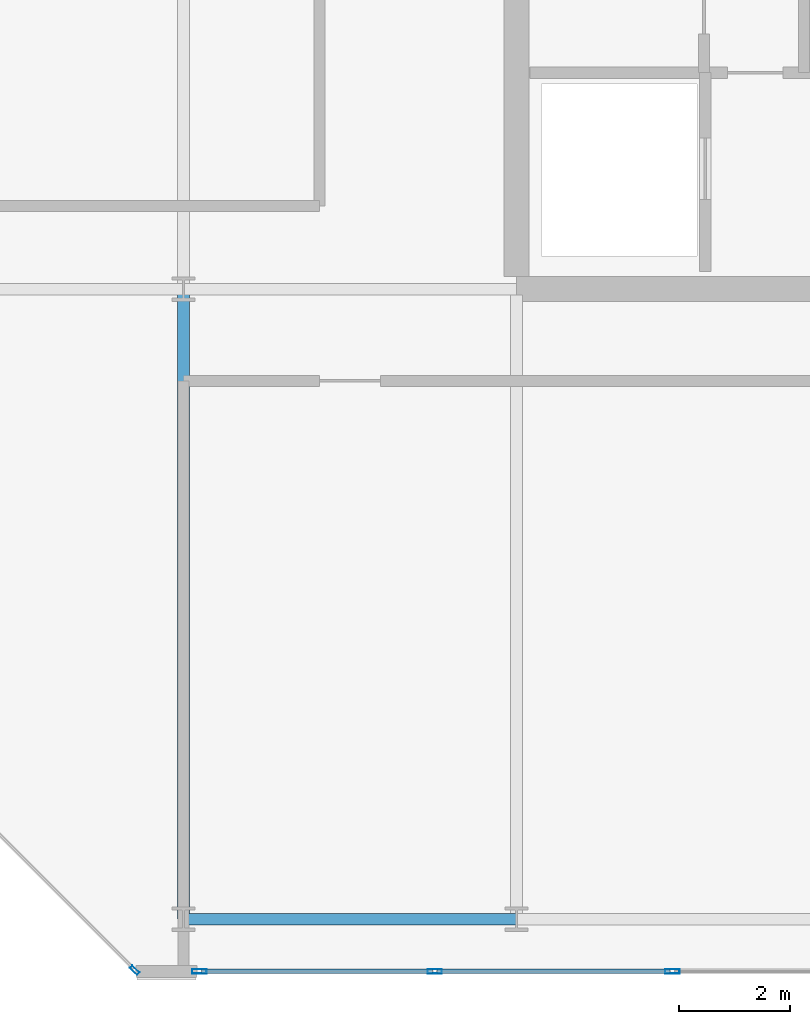
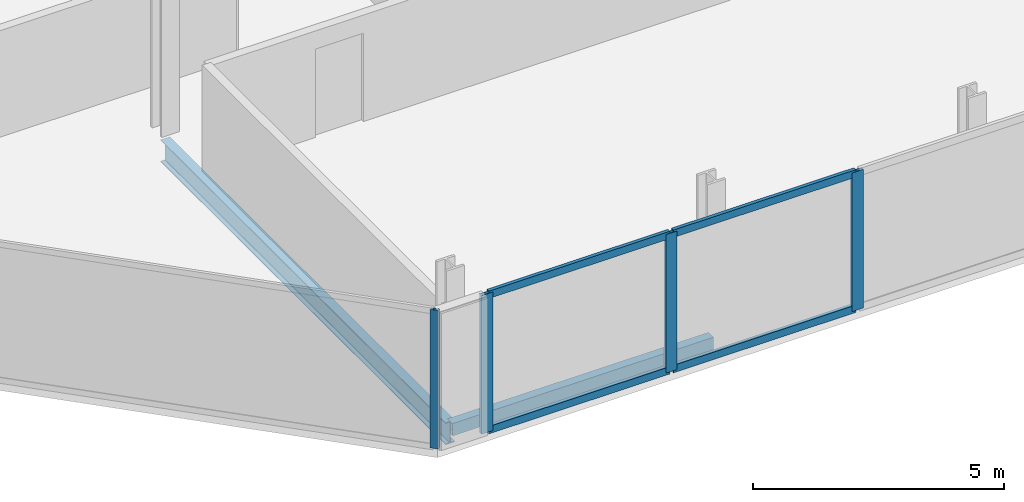
# One storey, part 2 of 16: 8 members, 2 beams, 2 elements without a shape of their own.
"""IFC4 building model written with IfcOpenShell, lengths in metres."""

from ifc_helpers import new_model, si_unit, direction, frame, origin, origin_2d, place, context, subcontext, project, spatial, hollow_rectangle, i_section, extrude, material, layer, layer_set, material_profile, profile_set, type_object, element, aggregate, save


model = new_model("IFC4")

# Units and contexts
model_context = context("Model", 3, precision=1e-05, world=origin(), true_north=direction((0.0, 1.0)))
body_context = subcontext(model_context, "Body", "Model", "MODEL_VIEW")
ifc_project = project(units=[si_unit("LENGTHUNIT", "METRE"), si_unit("AREAUNIT", "SQUARE_METRE"), si_unit("VOLUMEUNIT", "CUBIC_METRE"), si_unit("PLANEANGLEUNIT", "RADIAN"), si_unit("MASSUNIT", "GRAM", prefix="KILO")], contexts=[model_context])

# Site, building, storey
site_placement = place(None, origin())
site = spatial("IfcSite", under=ifc_project, at=site_placement, CompositionType="ELEMENT")
building_placement = place(site_placement, origin())
building = spatial("IfcBuilding", under=site, at=building_placement, Name="Tanjung Sevakor Pilgrim Tower", CompositionType="ELEMENT")
storey_placement = place(building_placement, frame((0.0, 0.0, 275.219970703125)))
storey = spatial("IfcBuildingStorey", under=building, at=storey_placement, Name="L77", CompositionType="ELEMENT", Elevation=275.219970703125)

# Beams
ifc_material_1 = material(Name="Steel S355J2", Category="steel")
ifc_material_profile_1 = material_profile(ifc_material_1, i_section(OverallWidth=0.210693359375, OverallDepth=0.53955078125, WebThickness=0.01171875, FlangeThickness=0.018798828125, FilletRadius=0.0126953125, at=origin_2d()))
ifc_profile_set_1 = profile_set([ifc_material_profile_1], Name="Steel S355J2")
beam_type_1 = type_object("IfcBeamType", Name="BM-B-G6-UB_533x210x109", PredefinedType="BEAM", material=ifc_profile_set_1)
beam_1_placement = place(storey_placement, frame((72.0, 13.25, -0.48974609375), z_axis=(0.0, 1.0, 0.0), x_axis=(-1.0, 0.0, 0.0)))
element("IfcBeam", 1, at=beam_1_placement, inside=storey, type_object=beam_type_1, Name="L77 EAST Girder 002", PredefinedType="BEAM", context=body_context, shape_type="SweptSolid", body=[
    extrude(i_section(OverallWidth=0.210693359375, OverallDepth=0.53955078125, WebThickness=0.01171875, FlangeThickness=0.018798828125, FilletRadius=0.0126953125, at=origin_2d()), origin(), (0.0, 0.0, 1.0), 11.35009765625),
])
ifc_material_2 = material(Name="Steel S355J2", Category="steel")
ifc_material_profile_2 = material_profile(ifc_material_2, hollow_rectangle(XDim=0.199951171875, YDim=0.300048828125, WallThickness=0.012451171875, at=origin_2d()))
ifc_profile_set_2 = profile_set([ifc_material_profile_2], Name="Steel S355J2")
beam_type_2 = type_object("IfcBeamType", Name="BM-B-SP3-RHS_300x200x12.5", PredefinedType="SPANDREL", material=ifc_profile_set_2)
beam_2_placement = place(storey_placement, frame((72.0, 13.25, -0.369873046875), z_axis=(1.0, 0.0, 0.0), x_axis=(0.0, 1.0, 0.0)))
element("IfcBeam", 2, at=beam_2_placement, inside=storey, type_object=beam_type_2, Name="L77 Spandrel EAST S-01", PredefinedType="SPANDREL", context=body_context, shape_type="SweptSolid", body=[
    extrude(hollow_rectangle(XDim=0.199951171875, YDim=0.300048828125, WallThickness=0.012451171875, at=origin_2d()), origin(), (0.0, 0.0, 1.0), 6.0),
])

# Curtain wall, member
ifc_material_3 = material(Name="Aluminium 6063-T6 and Low-E Glass", Category="aluminium")
ifc_layer_1 = layer(ifc_material_3, 0.179931640625)
ifc_layer_set_1 = layer_set([ifc_layer_1], Name="CW-SYS-CHAM")
curtain_wall_type_1 = type_object("IfcCurtainWallType", Name="CW-SYS-CHAM", PredefinedType="NOTDEFINED", material=ifc_layer_set_1)
curtain_wall_1_placement = place(storey_placement, origin())
curtain_wall_1 = element("IfcCurtainWall", 3, at=curtain_wall_1_placement, inside=storey, type_object=curtain_wall_type_1, Name="L77 Curtain Wall CW-CHM-L77-EAST-7", PredefinedType="NOTDEFINED")
ifc_material_4 = material(Name="Aluminium 6063-T6", Category="aluminium")
ifc_material_profile_3 = material_profile(ifc_material_4, hollow_rectangle(XDim=0.06494140625, YDim=0.179931640625, WallThickness=0.00390625, at=origin_2d()))
ifc_profile_set_3 = profile_set([ifc_material_profile_3], Name="Aluminium 6063-T6")
member_type_1 = type_object("IfcMemberType", Name="TYPE-CWM-1", PredefinedType="MULLION", material=ifc_profile_set_3)
member_1_placement = place(storey_placement, frame((71.12255859375, 12.3330078125, 0.0), z_axis=(0.0, 0.0, 1.0), x_axis=(0.707106781187, 0.707106781187, 0.0)))
member_1 = element("IfcMember", 4, at=member_1_placement, type_object=member_type_1, Name="CW-CHM mullion 2", PredefinedType="MULLION", context=body_context, shape_type="SweptSolid", body=[
    extrude(hollow_rectangle(XDim=0.06494140625, YDim=0.179931640625, WallThickness=0.00390625, at=origin_2d()), origin(), (0.0, 0.0, 1.0), 3.3701171875),
])
aggregate(curtain_wall_1, [member_1])

# Curtain wall, members
ifc_material_5 = material(Name="Aluminium 6063-T6 and Low-E Glass", Category="aluminium")
ifc_layer_2 = layer(ifc_material_5, 0.219970703125)
ifc_layer_set_2 = layer_set([ifc_layer_2], Name="CW-SYS-CRNE")
curtain_wall_type_2 = type_object("IfcCurtainWallType", Name="CW-SYS-CRNE", PredefinedType="NOTDEFINED", material=ifc_layer_set_2)
curtain_wall_2_placement = place(storey_placement, origin())
curtain_wall_2 = element("IfcCurtainWall", 5, at=curtain_wall_2_placement, inside=storey, type_object=curtain_wall_type_2, Name="L77 Curtain Wall CW-CRN-L77-EAST-0-1", PredefinedType="NOTDEFINED")
ifc_material_6 = material(Name="Aluminium 6063-T6", Category="aluminium")
ifc_material_profile_4 = material_profile(ifc_material_6, hollow_rectangle(XDim=0.080078125, YDim=0.260009765625, WallThickness=0.0048828125, at=origin_2d()))
ifc_profile_set_4 = profile_set([ifc_material_profile_4], Name="Aluminium 6063-T6")
member_type_2 = type_object("IfcMemberType", Name="TYPE-CWM-3", PredefinedType="MULLION", material=ifc_profile_set_4)
member_2_placement = place(storey_placement, frame((72.28564453125, 12.31005859375, 0.0), z_axis=(0.0, 0.0, 1.0), x_axis=(0.0, 1.0, 0.0)))
member_2 = element("IfcMember", 6, at=member_2_placement, type_object=member_type_2, Name="CW-CRE mullion 1", PredefinedType="MULLION", context=body_context, shape_type="SweptSolid", body=[
    extrude(hollow_rectangle(XDim=0.080078125, YDim=0.260009765625, WallThickness=0.0048828125, at=origin_2d()), origin(), (0.0, 0.0, 1.0), 3.3701171875),
])
member_3_placement = place(storey_placement, frame((76.52734375, 12.31005859375, 0.0), z_axis=(0.0, 0.0, 1.0), x_axis=(0.0, 1.0, 0.0)))
member_3 = element("IfcMember", 7, at=member_3_placement, type_object=member_type_2, Name="CW-CRE mullion 2", PredefinedType="MULLION", context=body_context, shape_type="SweptSolid", body=[
    extrude(hollow_rectangle(XDim=0.080078125, YDim=0.260009765625, WallThickness=0.0048828125, at=origin_2d()), origin(), (0.0, 0.0, 1.0), 3.3701171875),
])
member_4_placement = place(storey_placement, frame((80.80908203125, 12.31005859375, 0.0), z_axis=(0.0, 0.0, 1.0), x_axis=(0.0, 1.0, 0.0)))
member_4 = element("IfcMember", 8, at=member_4_placement, type_object=member_type_2, Name="CW-CRE mullion 3", PredefinedType="MULLION", context=body_context, shape_type="SweptSolid", body=[
    extrude(hollow_rectangle(XDim=0.080078125, YDim=0.260009765625, WallThickness=0.0048828125, at=origin_2d()), origin(), (0.0, 0.0, 1.0), 3.3701171875),
])
ifc_material_7 = material(Name="Aluminium 6063-T6", Category="aluminium")
ifc_material_profile_5 = material_profile(ifc_material_7, hollow_rectangle(XDim=0.080078125, YDim=0.179931640625, WallThickness=0.0048828125, at=origin_2d()))
ifc_profile_set_5 = profile_set([ifc_material_profile_5], Name="Aluminium 6063-T6")
member_type_3 = type_object("IfcMemberType", Name="TYPE-CWT-3", PredefinedType="USERDEFINED", material=ifc_profile_set_5)
member_5_placement = place(storey_placement, frame((72.32568359375, 12.31005859375, 0.0400390625), z_axis=(1.0, 0.0, 0.0), x_axis=(0.0, 1.0, 0.0)))
member_5 = element("IfcMember", 9, at=member_5_placement, type_object=member_type_3, Name="CW-CRE transom 1.1", ObjectType="TRANSOM", PredefinedType="USERDEFINED", context=body_context, shape_type="SweptSolid", body=[
    extrude(hollow_rectangle(XDim=0.080078125, YDim=0.179931640625, WallThickness=0.0048828125, at=origin_2d()), origin(), (0.0, 0.0, 1.0), 4.16162109375),
])
member_6_placement = place(storey_placement, frame((72.32568359375, 12.31005859375, 3.330078125), z_axis=(1.0, 0.0, 0.0), x_axis=(0.0, 1.0, 0.0)))
member_6 = element("IfcMember", 10, at=member_6_placement, type_object=member_type_3, Name="CW-CRE transom 1.2", ObjectType="TRANSOM", PredefinedType="USERDEFINED", context=body_context, shape_type="SweptSolid", body=[
    extrude(hollow_rectangle(XDim=0.080078125, YDim=0.179931640625, WallThickness=0.0048828125, at=origin_2d()), origin(), (0.0, 0.0, 1.0), 4.16162109375),
])
member_7_placement = place(storey_placement, frame((76.5673828125, 12.31005859375, 0.0400390625), z_axis=(1.0, 0.0, 0.0), x_axis=(0.0, 1.0, 0.0)))
member_7 = element("IfcMember", 11, at=member_7_placement, type_object=member_type_3, Name="CW-CRE transom 2.1", ObjectType="TRANSOM", PredefinedType="USERDEFINED", context=body_context, shape_type="SweptSolid", body=[
    extrude(hollow_rectangle(XDim=0.080078125, YDim=0.179931640625, WallThickness=0.0048828125, at=origin_2d()), origin(), (0.0, 0.0, 1.0), 4.20166015625),
])
member_8_placement = place(storey_placement, frame((76.5673828125, 12.31005859375, 3.330078125), z_axis=(1.0, 0.0, 0.0), x_axis=(0.0, 1.0, 0.0)))
member_8 = element("IfcMember", 12, at=member_8_placement, type_object=member_type_3, Name="CW-CRE transom 2.2", ObjectType="TRANSOM", PredefinedType="USERDEFINED", context=body_context, shape_type="SweptSolid", body=[
    extrude(hollow_rectangle(XDim=0.080078125, YDim=0.179931640625, WallThickness=0.0048828125, at=origin_2d()), origin(), (0.0, 0.0, 1.0), 4.20166015625),
])
aggregate(curtain_wall_2, [member_2, member_3, member_4, member_5, member_6, member_7, member_8])

save(model, "model.ifc")
